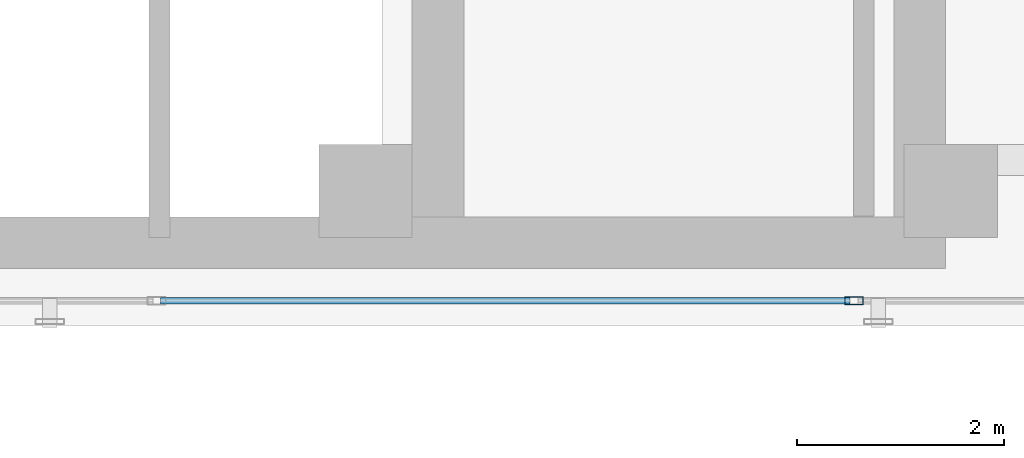
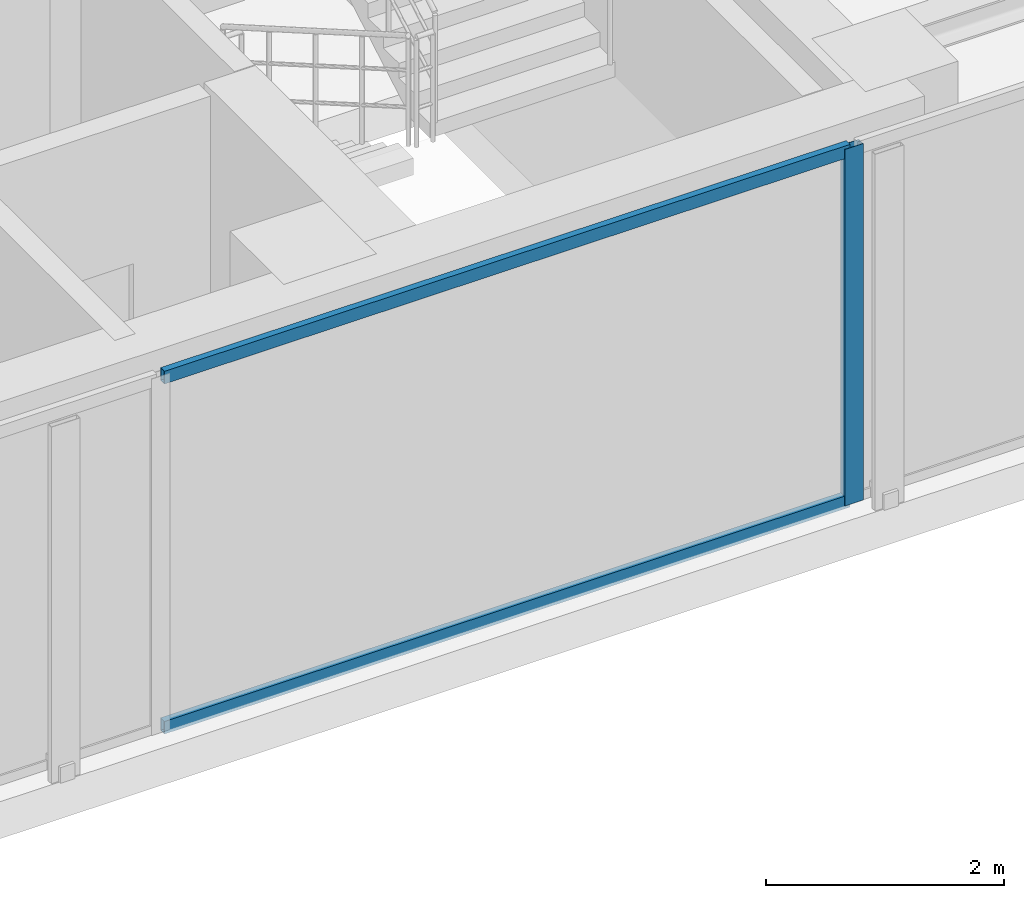
# One storey, part 3 of 31: 3 members, 1 element without a shape of its own.
"""IFC4 building model written with IfcOpenShell, lengths in metres."""

from ifc_helpers import new_model, si_unit, direction, frame, origin, origin_with_axes, origin_2d, place, context, subcontext, project, spatial, hollow_rectangle, extrude, source, transform, mapped, material, layer, layer_set, material_profile, profile_set, type_object, element, aggregate, save


model = new_model("IFC4")

# Units and contexts
model_context = context("Model", 3, precision=1e-05, world=origin(), true_north=direction((0.0, 1.0)))
body_context = subcontext(model_context, "Body", "Model", "MODEL_VIEW")
ifc_project = project(units=[si_unit("LENGTHUNIT", "METRE"), si_unit("AREAUNIT", "SQUARE_METRE"), si_unit("VOLUMEUNIT", "CUBIC_METRE"), si_unit("PLANEANGLEUNIT", "RADIAN"), si_unit("MASSUNIT", "GRAM", prefix="KILO")], contexts=[model_context])

# Site, building, storey
site_placement = place(None, origin())
site = spatial("IfcSite", under=ifc_project, at=site_placement, CompositionType="ELEMENT")
building_placement = place(site_placement, origin())
building = spatial("IfcBuilding", under=site, at=building_placement, Name="Kolvaren Waterfront Exchange", CompositionType="ELEMENT")
storey_placement = place(building_placement, frame((0.0, 0.0, 344.199951171875)))
storey = spatial("IfcBuildingStorey", under=building, at=storey_placement, Name="L88", CompositionType="ELEMENT", Elevation=344.199951171875)

# Curtain wall, members
ifc_material = material(Name="Anodised bronze aluminium 6063-T6", Category="aluminium")
ifc_layer = layer(ifc_material, 0.219970703125, Name="Anodised bronze aluminium 6063-T6")
ifc_layer_set = layer_set([ifc_layer], Name="Anodised bronze aluminium 6063-T6")
curtain_wall_type = type_object("IfcCurtainWallType", Name="ARC-CW-SYS5", PredefinedType="USERDEFINED", material=ifc_layer_set)
curtain_wall_placement = place(storey_placement, origin())
curtain_wall = element("IfcCurtainWall", 1, at=curtain_wall_placement, inside=storey, type_object=curtain_wall_type, Name="L88 stick curtain wall CW5 (CW-L88-S)", ObjectType="STICK CURTAIN WALL", PredefinedType="USERDEFINED")
ifc_material_profile_1 = material_profile(ifc_material, hollow_rectangle(XDim=0.074951171875, YDim=0.179931640625, WallThickness=0.00439453125, at=origin_2d()), Name="ALU-MUL-180x75x4.5")
ifc_profile_set_1 = profile_set([ifc_material_profile_1], Name="Anodised bronze aluminium 6063-T6")
member_type_1 = type_object("IfcMemberType", Name="ARC-CWM-180", PredefinedType="MULLION", material=ifc_profile_set_1)
shared_shape_1 = source(origin_with_axes(), body_context, "Body", "SweptSolid", [
    extrude(hollow_rectangle(XDim=0.074951171875, YDim=0.179931640625, WallThickness=0.00439453125, at=origin_2d()), origin(), (0.0, 0.0, 1.0), 3.66015625),
])
member_1_placement = place(storey_placement, frame((20.166748046875, 3.840087890625, 0.0), z_axis=(0.0, 0.0, 1.0), x_axis=(0.0, 1.0, 0.0)))
member_1 = element("IfcMember", 2, at=member_1_placement, type_object=member_type_1, Name="CW5 mullion 3", PredefinedType="MULLION", context=body_context, shape_type="MappedRepresentation", body=[
    mapped(shared_shape_1, transform((0.0, 0.0, 0.0), x_axis=(1.0, 0.0, 0.0), y_axis=(0.0, 1.0, 0.0), z_axis=(0.0, 0.0, 1.0), scale=1.0)),
])
ifc_material_profile_2 = material_profile(ifc_material, hollow_rectangle(XDim=0.06494140625, YDim=0.1298828125, WallThickness=0.00390625, at=origin_2d()), Name="ALU-TRN-130x65x4")
ifc_profile_set_2 = profile_set([ifc_material_profile_2], Name="Anodised bronze aluminium 6063-T6")
member_type_2 = type_object("IfcMemberType", Name="ARC-CWT-130", PredefinedType="USERDEFINED", material=ifc_profile_set_2)
shared_shape_2 = source(origin_with_axes(), body_context, "Body", "SweptSolid", [
    extrude(hollow_rectangle(XDim=0.06494140625, YDim=0.1298828125, WallThickness=0.00390625, at=origin_2d()), origin(), (0.0, 0.0, 1.0), 6.658203125),
])
member_2_placement = place(storey_placement, frame((13.470947265625, 3.840087890625, 0.032470703125), z_axis=(1.0, 0.0, 0.0), x_axis=(0.0, 1.0, 0.0)))
member_2 = element("IfcMember", 3, at=member_2_placement, type_object=member_type_2, Name="CW5 transom 2.1", ObjectType="TRANSOM", PredefinedType="USERDEFINED", context=body_context, shape_type="MappedRepresentation", body=[
    mapped(shared_shape_2, transform((0.0, 0.0, 0.0), x_axis=(1.0, 0.0, 0.0), y_axis=(0.0, 1.0, 0.0), z_axis=(0.0, 0.0, 1.0), scale=1.0)),
])
member_3_placement = place(storey_placement, frame((13.470947265625, 3.840087890625, 3.62744140625), z_axis=(1.0, 0.0, 0.0), x_axis=(0.0, 1.0, 0.0)))
member_3 = element("IfcMember", 4, at=member_3_placement, type_object=member_type_2, Name="CW5 transom 2.2", ObjectType="TRANSOM", PredefinedType="USERDEFINED", context=body_context, shape_type="MappedRepresentation", body=[
    mapped(shared_shape_2, transform((0.0, 0.0, 0.0), x_axis=(1.0, 0.0, 0.0), y_axis=(0.0, 1.0, 0.0), z_axis=(0.0, 0.0, 1.0), scale=1.0)),
])
aggregate(curtain_wall, [member_1, member_2, member_3])

save(model, "model.ifc")
